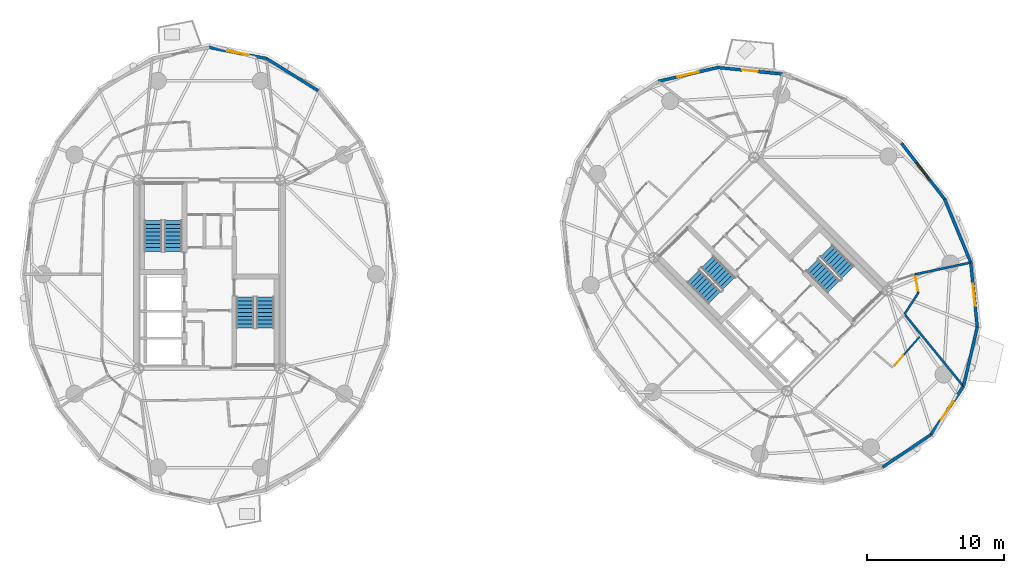
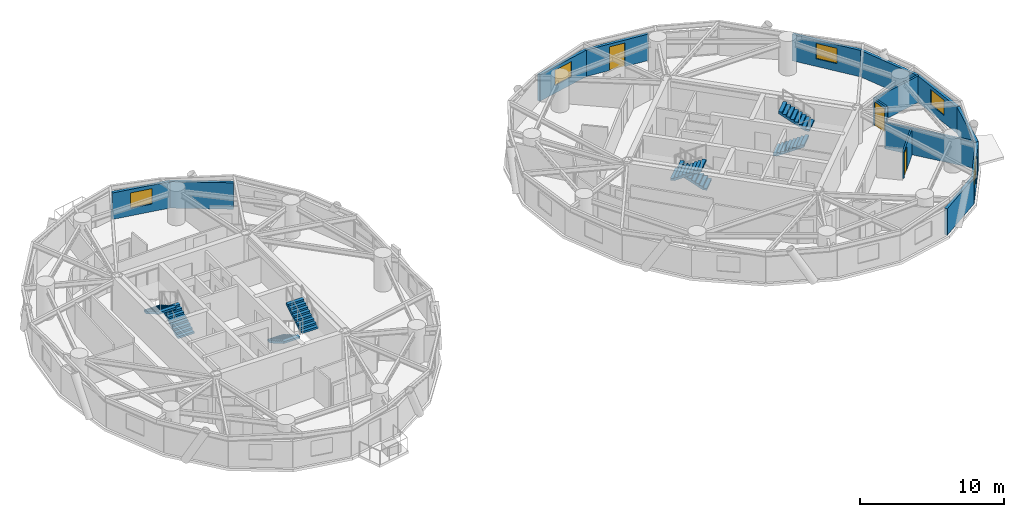
# One storey, part 13 of 16: 15 walls, 8 stair flights, 5 windows, 3 doors, 8 openings, 4 elements without a shape of their own.
"""IFC4 building model written with IfcOpenShell, lengths in metres."""

from ifc_helpers import new_model, si_unit, direction, frame, frame_2d, origin, place, context, subcontext, project, spatial, polyline, rectangle, outline, extrude, source, transform, mapped, material, layer, layer_set, type_object, element, fill, aggregate, save


model = new_model("IFC4")

# Units and contexts
model_context = context("Model", 3, precision=1e-05, world=origin(), true_north=direction((0.0, 1.0)))
body_context = subcontext(model_context, "Body", "Model", "MODEL_VIEW")
ifc_project = project(units=[si_unit("LENGTHUNIT", "METRE"), si_unit("AREAUNIT", "SQUARE_METRE"), si_unit("VOLUMEUNIT", "CUBIC_METRE"), si_unit("PLANEANGLEUNIT", "RADIAN"), si_unit("MASSUNIT", "GRAM", prefix="KILO")], contexts=[model_context])

# Site, building, storey
site_placement = place(None, origin())
site = spatial("IfcSite", under=ifc_project, at=site_placement, CompositionType="ELEMENT")
building_placement = place(site_placement, origin())
building = spatial("IfcBuilding", under=site, at=building_placement, Name="Cununo Teusaquillo Station Towers", CompositionType="ELEMENT")
storey_placement = place(building_placement, frame((0.0, 0.0, 180.699951171875)))
storey = spatial("IfcBuildingStorey", under=building, at=storey_placement, Name="L57", CompositionType="ELEMENT", Elevation=180.699951171875)

# Wall
ifc_material_1 = material(Name="Precast concrete C40/50", Category="concrete")
ifc_layer_1 = layer(ifc_material_1, 0.219970703125)
ifc_layer_set_1 = layer_set([ifc_layer_1], Name="Precast concrete C40/50")
wall_type_1 = type_object("IfcWallType", Name="WL-EXT-220", PredefinedType="SOLIDWALL", material=ifc_layer_set_1)
wall_1_placement = place(storey_placement, frame((20.681396484375, 40.259033203125, 0.0), z_axis=(0.0, 0.0, 1.0), x_axis=(0.848399108042, -0.529357113368, 0.0)))
element("IfcWall", 1, at=wall_1_placement, inside=storey, type_object=wall_type_1, Name="L57 Tower A Exterior Facade Wall C03", PredefinedType="SOLIDWALL", context=body_context, shape_type="SweptSolid", body=[
    extrude(rectangle(XDim=4.446044921875, YDim=0.219970703125, at=frame_2d((2.22314453125, 0.0))), origin(), (0.0, 0.0, 1.0), 2.2451171875),
])

# Wall, opening, window
wall_2_placement = place(storey_placement, frame((16.5, 41.070068359375, 0.0), z_axis=(0.0, 0.0, 1.0), x_axis=(0.981703883443, -0.190413983815, 0.0)))
wall_2 = element("IfcWall", 2, at=wall_2_placement, inside=storey, type_object=wall_type_1, Name="L57 Tower A Exterior Facade Wall C04", PredefinedType="SOLIDWALL", context=body_context, shape_type="SweptSolid", body=[
    extrude(rectangle(XDim=4.25927734375, YDim=0.219970703125, at=frame_2d((2.129638671875, 0.0))), origin(), (0.0, 0.0, 1.0), 2.2451171875),
])
shared_shape_1 = source(origin(), body_context, "Body", "SweptSolid", [
    extrude(rectangle(XDim=1.60009765625, YDim=1.300048828125, at=frame_2d((0.800048828125, 0.64990234375))), frame((0.0, 0.119873046875, 0.0), z_axis=(0.0, -1.0, 0.0), x_axis=(1.0, 0.0, 0.0)), (0.0, 0.0, 1.0), 0.239990234375),
])
opening_1_placement = place(wall_2_placement, frame((1.330078125, 0.0, 0.64990234375)))
opening_1 = element("IfcOpeningElement", 3, at=opening_1_placement, cuts=wall_2, Name="Opening WN-03", PredefinedType="OPENING", context=body_context, shape_type="MappedRepresentation", body=[
    mapped(shared_shape_1, transform((0.0, 0.0, 0.0), x_axis=(1.0, 0.0, 0.0), y_axis=(0.0, 1.0, 0.0), z_axis=(0.0, 0.0, 1.0), scale=1.0)),
])
ifc_material_2 = material(Name="Ceramic-fritted dark low-E double glazing", Category="glass")
window_type = type_object("IfcWindowType", Name="WIN-CORN-1600", PartitioningType="SINGLE_PANEL", PredefinedType="WINDOW", material=ifc_material_2)
shared_shape_2 = source(origin(), body_context, "Body", "SweptSolid", [
    extrude(rectangle(XDim=1.60009765625, YDim=1.300048828125, at=frame_2d((0.800048828125, 0.64990234375))), frame((0.0, 0.030029296875, 0.0), z_axis=(0.0, -1.0, 0.0), x_axis=(1.0, 0.0, 0.0)), (0.0, 0.0, 1.0), 0.06005859375),
])
window_1_placement = place(opening_1_placement, origin())
window_1 = element("IfcWindow", 4, at=window_1_placement, inside=storey, type_object=window_type, Name="L57 Tower A Facade Window C04", OverallHeight=1.300048828125, OverallWidth=1.60009765625, PartitioningType="SINGLE_PANEL", PredefinedType="WINDOW", context=body_context, shape_type="MappedRepresentation", body=[
    mapped(shared_shape_2, transform((0.0, 0.0, 0.0), x_axis=(1.0, 0.0, 0.0), y_axis=(0.0, 1.0, 0.0), z_axis=(0.0, 0.0, 1.0), scale=1.0)),
])
fill(opening_1, window_1)

# Wall, opening, door
wall_3_placement = place(storey_placement, frame((53.644775390625, 39.602783203125, 0.0), z_axis=(0.0, 0.0, 1.0), x_axis=(0.994943283129, -0.100438356004, 0.0)))
wall_3 = element("IfcWall", 5, at=wall_3_placement, inside=storey, type_object=wall_type_1, Name="L57 Tower B Exterior Facade Wall C02", PredefinedType="SOLIDWALL", context=body_context, shape_type="SweptSolid", body=[
    extrude(rectangle(XDim=4.732666015625, YDim=0.219970703125, at=frame_2d((2.3662109375, 0.0))), origin(), (0.0, 0.0, 1.0), 2.2451171875),
])
shared_shape_3 = source(origin(), body_context, "Body", "SweptSolid", [
    extrude(rectangle(XDim=1.14990234375, YDim=2.0048828125, at=frame_2d((0.574951171875, 1.00244140625))), frame((0.0, 0.119873046875, 0.0), z_axis=(0.0, -1.0, 0.0), x_axis=(1.0, 0.0, 0.0)), (0.0, 0.0, 1.0), 0.239990234375),
])
opening_2_placement = place(wall_3_placement, frame((1.791015625, 0.0, 0.0)))
opening_2 = element("IfcOpeningElement", 6, at=opening_2_placement, cuts=wall_3, Name="Opening ED-03", PredefinedType="OPENING", context=body_context, shape_type="MappedRepresentation", body=[
    mapped(shared_shape_3, transform((0.0, 0.0, 0.0), x_axis=(1.0, 0.0, 0.0), y_axis=(0.0, 1.0, 0.0), z_axis=(0.0, 0.0, 1.0), scale=1.0)),
])
ifc_material_3 = material(Name="Anodised dark bronze aluminium EN AW-6063-T6", Category="aluminium")
door_type_1 = type_object("IfcDoorType", Name="DR-EXT-BAL", OperationType="NOTDEFINED", PredefinedType="DOOR", material=ifc_material_3)
shared_shape_4 = source(origin(), body_context, "Body", "SweptSolid", [
    extrude(rectangle(XDim=1.14990234375, YDim=2.0048828125, at=frame_2d((0.574951171875, 1.00244140625))), frame((0.0, 0.02490234375, 0.0), z_axis=(0.0, -1.0, 0.0), x_axis=(1.0, 0.0, 0.0)), (0.0, 0.0, 1.0), 0.050048828125),
])
door_1_placement = place(opening_2_placement, origin())
door_1 = element("IfcDoor", 7, at=door_1_placement, inside=storey, type_object=door_type_1, Name="L57 Tower B Tree Balcony Door C02", OperationType="SINGLE_SWING_LEFT", OverallHeight=2.0048828125, OverallWidth=1.14990234375, PredefinedType="DOOR", context=body_context, shape_type="MappedRepresentation", body=[
    mapped(shared_shape_4, transform((0.0, 0.0, 0.0), x_axis=(1.0, 0.0, 0.0), y_axis=(0.0, 1.0, 0.0), z_axis=(0.0, 0.0, 1.0), scale=1.0)),
])
fill(opening_2, door_1)

# Wall, opening, window
wall_4_placement = place(storey_placement, frame((49.313232421875, 38.599853515625, 0.0), z_axis=(0.0, 0.0, 1.0), x_axis=(0.97422620202, 0.22557328587, 0.0)))
wall_4 = element("IfcWall", 8, at=wall_4_placement, inside=storey, type_object=wall_type_1, Name="L57 Tower B Exterior Facade Wall C03", PredefinedType="SOLIDWALL", context=body_context, shape_type="SweptSolid", body=[
    extrude(rectangle(XDim=4.446044921875, YDim=0.219970703125, at=frame_2d((2.22314453125, 0.0))), origin(), (0.0, 0.0, 1.0), 2.2451171875),
])
opening_3_placement = place(wall_4_placement, frame((1.423095703125, 0.0, 0.64990234375)))
opening_3 = element("IfcOpeningElement", 9, at=opening_3_placement, cuts=wall_4, Name="Opening WN-03", PredefinedType="OPENING", context=body_context, shape_type="MappedRepresentation", body=[
    mapped(shared_shape_1, transform((0.0, 0.0, 0.0), x_axis=(1.0, 0.0, 0.0), y_axis=(0.0, 1.0, 0.0), z_axis=(0.0, 0.0, 1.0), scale=1.0)),
])
window_2_placement = place(opening_3_placement, origin())
window_2 = element("IfcWindow", 10, at=window_2_placement, inside=storey, type_object=window_type, Name="L57 Tower B Facade Window C03", OverallHeight=1.300048828125, OverallWidth=1.60009765625, PartitioningType="SINGLE_PANEL", PredefinedType="WINDOW", context=body_context, shape_type="MappedRepresentation", body=[
    mapped(shared_shape_2, transform((0.0, 0.0, 0.0), x_axis=(1.0, 0.0, 0.0), y_axis=(0.0, 1.0, 0.0), z_axis=(0.0, 0.0, 1.0), scale=1.0)),
])
fill(opening_3, window_2)

# Wall
wall_5_placement = place(storey_placement, frame((69.216796875, 12.783203125, 0.0), z_axis=(0.0, 0.0, 1.0), x_axis=(-0.828817439852, -0.55951912514, 0.0)))
element("IfcWall", 11, at=wall_5_placement, inside=storey, type_object=wall_type_1, Name="L57 Tower B Exterior Facade Wall C14", PredefinedType="SOLIDWALL", context=body_context, shape_type="SweptSolid", body=[
    extrude(rectangle(XDim=4.259033203125, YDim=0.219970703125, at=frame_2d((2.12939453125, 0.0))), origin(), (0.0, 0.0, 1.0), 2.2451171875),
])

# Wall, opening, window
wall_6_placement = place(storey_placement, frame((71.599853515625, 16.313232421875, 0.0), z_axis=(0.0, 0.0, 1.0), x_axis=(-0.55951912514, -0.828817439852, 0.0)))
wall_6 = element("IfcWall", 12, at=wall_6_placement, inside=storey, type_object=wall_type_1, Name="L57 Tower B Exterior Facade Wall C15", PredefinedType="SOLIDWALL", context=body_context, shape_type="SweptSolid", body=[
    extrude(rectangle(XDim=4.259033203125, YDim=0.219970703125, at=frame_2d((2.12939453125, 0.0))), origin(), (0.0, 0.0, 1.0), 2.2451171875),
])
opening_4_placement = place(wall_6_placement, frame((1.330078125, 0.0, 0.64990234375)))
opening_4 = element("IfcOpeningElement", 13, at=opening_4_placement, cuts=wall_6, Name="Opening WN-03", PredefinedType="OPENING", context=body_context, shape_type="MappedRepresentation", body=[
    mapped(shared_shape_1, transform((0.0, 0.0, 0.0), x_axis=(1.0, 0.0, 0.0), y_axis=(0.0, 1.0, 0.0), z_axis=(0.0, 0.0, 1.0), scale=1.0)),
])
window_3_placement = place(opening_4_placement, origin())
window_3 = element("IfcWindow", 14, at=window_3_placement, inside=storey, type_object=window_type, Name="L57 Tower B Facade Window C15", OverallHeight=1.300048828125, OverallWidth=1.60009765625, PartitioningType="SINGLE_PANEL", PredefinedType="WINDOW", context=body_context, shape_type="MappedRepresentation", body=[
    mapped(shared_shape_2, transform((0.0, 0.0, 0.0), x_axis=(1.0, 0.0, 0.0), y_axis=(0.0, 1.0, 0.0), z_axis=(0.0, 0.0, 1.0), scale=1.0)),
])
fill(opening_4, window_3)

# Wall
wall_7_placement = place(storey_placement, frame((72.602783203125, 20.644775390625, 0.0), z_axis=(0.0, 0.0, 1.0), x_axis=(-0.22557328587, -0.97422620202, 0.0)))
element("IfcWall", 15, at=wall_7_placement, inside=storey, type_object=wall_type_1, Name="L57 Tower B Exterior Facade Wall C16", PredefinedType="SOLIDWALL", context=body_context, shape_type="SweptSolid", body=[
    extrude(rectangle(XDim=4.446044921875, YDim=0.219970703125, at=frame_2d((2.22314453125, 0.0))), origin(), (0.0, 0.0, 1.0), 2.2451171875),
])

# Wall, opening, window
wall_8_placement = place(storey_placement, frame((72.12744140625, 25.353515625, 0.0), z_axis=(0.0, 0.0, 1.0), x_axis=(0.100438356004, -0.994943283129, 0.0)))
wall_8 = element("IfcWall", 16, at=wall_8_placement, inside=storey, type_object=wall_type_1, Name="L57 Tower B Exterior Facade Wall C17", PredefinedType="SOLIDWALL", context=body_context, shape_type="SweptSolid", body=[
    extrude(rectangle(XDim=4.732666015625, YDim=0.219970703125, at=frame_2d((2.3662109375, 0.0))), origin(), (0.0, 0.0, 1.0), 2.2451171875),
])
opening_5_placement = place(wall_8_placement, frame((1.56591796875, 0.0, 0.64990234375)))
opening_5 = element("IfcOpeningElement", 17, at=opening_5_placement, cuts=wall_8, Name="Opening WN-03", PredefinedType="OPENING", context=body_context, shape_type="MappedRepresentation", body=[
    mapped(shared_shape_1, transform((0.0, 0.0, 0.0), x_axis=(1.0, 0.0, 0.0), y_axis=(0.0, 1.0, 0.0), z_axis=(0.0, 0.0, 1.0), scale=1.0)),
])
window_4_placement = place(opening_5_placement, origin())
window_4 = element("IfcWindow", 18, at=window_4_placement, inside=storey, type_object=window_type, Name="L57 Tower B Facade Window C17", OverallHeight=1.300048828125, OverallWidth=1.60009765625, PartitioningType="SINGLE_PANEL", PredefinedType="WINDOW", context=body_context, shape_type="MappedRepresentation", body=[
    mapped(shared_shape_2, transform((0.0, 0.0, 0.0), x_axis=(1.0, 0.0, 0.0), y_axis=(0.0, 1.0, 0.0), z_axis=(0.0, 0.0, 1.0), scale=1.0)),
])
fill(opening_5, window_4)

# Wall
wall_9_placement = place(storey_placement, frame((70.22021484375, 29.97900390625, 0.0), z_axis=(0.0, 0.0, 1.0), x_axis=(0.381196434348, -0.924494066201, 0.0)))
element("IfcWall", 19, at=wall_9_placement, inside=storey, type_object=wall_type_1, Name="L57 Tower B Exterior Facade Wall C18", PredefinedType="SOLIDWALL", context=body_context, shape_type="SweptSolid", body=[
    extrude(rectangle(XDim=5.003173828125, YDim=0.219970703125, at=frame_2d((2.50146484375, 0.0))), origin(), (0.0, 0.0, 1.0), 2.2451171875),
])

# Wall, opening, window
wall_10_placement = place(storey_placement, frame((67.06787109375, 34.06787109375, 0.0), z_axis=(0.0, 0.0, 1.0), x_axis=(0.610569654715, -0.791962560189, 0.0)))
wall_10 = element("IfcWall", 20, at=wall_10_placement, inside=storey, type_object=wall_type_1, Name="L57 Tower B Exterior Facade Wall C19", PredefinedType="SOLIDWALL", context=body_context, shape_type="SweptSolid", body=[
    extrude(rectangle(XDim=5.162841796875, YDim=0.219970703125, at=frame_2d((2.58154296875, 0.0))), origin(), (0.0, 0.0, 1.0), 2.2451171875),
])
opening_6_placement = place(wall_10_placement, frame((1.781982421875, 0.0, 0.64990234375)))
opening_6 = element("IfcOpeningElement", 21, at=opening_6_placement, cuts=wall_10, Name="Opening WN-03", PredefinedType="OPENING", context=body_context, shape_type="MappedRepresentation", body=[
    mapped(shared_shape_1, transform((0.0, 0.0, 0.0), x_axis=(1.0, 0.0, 0.0), y_axis=(0.0, 1.0, 0.0), z_axis=(0.0, 0.0, 1.0), scale=1.0)),
])
window_5_placement = place(opening_6_placement, origin())
window_5 = element("IfcWindow", 22, at=window_5_placement, inside=storey, type_object=window_type, Name="L57 Tower B Facade Window C19", OverallHeight=1.300048828125, OverallWidth=1.60009765625, PartitioningType="SINGLE_PANEL", PredefinedType="WINDOW", context=body_context, shape_type="MappedRepresentation", body=[
    mapped(shared_shape_2, transform((0.0, 0.0, 0.0), x_axis=(1.0, 0.0, 0.0), y_axis=(0.0, 1.0, 0.0), z_axis=(0.0, 0.0, 1.0), scale=1.0)),
])
fill(opening_6, window_5)

# Wall, opening, door
ifc_material_4 = material(Name="Fire-rated gypsum plasterboard partition assembly", Category="gypsum")
ifc_layer_2 = layer(ifc_material_4, 0.125)
ifc_layer_set_2 = layer_set([ifc_layer_2], Name="Fire-rated gypsum plasterboard partition assembly")
wall_type_2 = type_object("IfcWallType", Name="WL-PART-125", PredefinedType="PARTITIONING", material=ifc_layer_set_2)
wall_11_placement = place(storey_placement, frame((66.520263671875, 17.794677734375, 0.0), z_axis=(0.0, 0.0, 1.0), x_axis=(0.658266024679, 0.752785388244, 0.0)))
wall_11 = element("IfcWall", 23, at=wall_11_placement, inside=storey, type_object=wall_type_2, Name="L57 Tower B S06 En-suite Back Wall", PredefinedType="PARTITIONING", context=body_context, shape_type="SweptSolid", body=[
    extrude(rectangle(XDim=2.82568359375, YDim=0.125, at=frame_2d((1.412841796875, 0.0))), origin(), (0.0, 0.0, 1.0), 2.2451171875),
])
shared_shape_5 = source(origin(), body_context, "Body", "SweptSolid", [
    extrude(rectangle(XDim=0.89990234375, YDim=2.0048828125, at=frame_2d((0.449951171875, 1.00244140625))), frame((0.0, 0.072509765625, 0.0), z_axis=(0.0, -1.0, 0.0), x_axis=(1.0, 0.0, 0.0)), (0.0, 0.0, 1.0), 0.14501953125),
])
opening_7_placement = place(wall_11_placement, frame((0.1201171875, 0.0, 0.0)))
opening_7 = element("IfcOpeningElement", 24, at=opening_7_placement, cuts=wall_11, Name="Opening D-IN1", PredefinedType="OPENING", context=body_context, shape_type="MappedRepresentation", body=[
    mapped(shared_shape_5, transform((0.0, 0.0, 0.0), x_axis=(1.0, 0.0, 0.0), y_axis=(0.0, 1.0, 0.0), z_axis=(0.0, 0.0, 1.0), scale=1.0)),
])
ifc_material_5 = material(Name="Acoustic solid-core hardwood leaf assembly", Category="wood")
door_type_2 = type_object("IfcDoorType", Name="DR-INT-900", OperationType="NOTDEFINED", PredefinedType="DOOR", material=ifc_material_5)
shared_shape_6 = source(origin(), body_context, "Body", "SweptSolid", [
    extrude(rectangle(XDim=0.89990234375, YDim=2.0048828125, at=frame_2d((0.449951171875, 1.00244140625))), frame((0.0, 0.02490234375, 0.0), z_axis=(0.0, -1.0, 0.0), x_axis=(1.0, 0.0, 0.0)), (0.0, 0.0, 1.0), 0.050048828125),
])
door_2_placement = place(opening_7_placement, origin())
door_2 = element("IfcDoor", 25, at=door_2_placement, inside=storey, type_object=door_type_2, Name="L57 Tower B S06 En-suite Bathroom Door", OperationType="SINGLE_SWING_RIGHT", OverallHeight=2.0048828125, OverallWidth=0.89990234375, PredefinedType="DOOR", context=body_context, shape_type="MappedRepresentation", body=[
    mapped(shared_shape_6, transform((0.0, 0.0, 0.0), x_axis=(1.0, 0.0, 0.0), y_axis=(0.0, 1.0, 0.0), z_axis=(0.0, 0.0, 1.0), scale=1.0)),
])
fill(opening_7, door_2)

# Wall
ifc_material_6 = material(Name="Fire-rated gypsum plasterboard partition assembly", Category="gypsum")
ifc_layer_3 = layer(ifc_material_6, 0.14990234375)
ifc_layer_set_3 = layer_set([ifc_layer_3], Name="Fire-rated gypsum plasterboard partition assembly")
wall_type_3 = type_object("IfcWallType", Name="WL-PART-150", PredefinedType="PARTITIONING", material=ifc_layer_set_3)
wall_12_placement = place(storey_placement, frame((67.28662109375, 21.582275390625, 0.0), z_axis=(0.0, 0.0, 1.0), x_axis=(0.543202443884, 0.839601753785, 0.0)))
element("IfcWall", 26, at=wall_12_placement, inside=storey, type_object=wall_type_3, Name="L57 Tower B Corridor Ring Wall C16", PredefinedType="PARTITIONING", context=body_context, shape_type="SweptSolid", body=[
    extrude(rectangle(XDim=1.86572265625, YDim=0.14990234375, at=frame_2d((0.932861328125, 0.0))), origin(), (0.0, 0.0, 1.0), 2.2451171875),
])

# Wall, opening, door
wall_13_placement = place(storey_placement, frame((68.300048828125, 23.148681640625, 0.0), z_axis=(0.0, 0.0, 1.0), x_axis=(-0.176423554694, 0.984314344785, 0.0)))
wall_13 = element("IfcWall", 27, at=wall_13_placement, inside=storey, type_object=wall_type_3, Name="L57 Tower B Corridor Ring Wall C17", PredefinedType="PARTITIONING", context=body_context, shape_type="SweptSolid", body=[
    extrude(rectangle(XDim=1.361572265625, YDim=0.14990234375, at=frame_2d((0.6806640625, 0.0))), origin(), (0.0, 0.0, 1.0), 2.2451171875),
])
shared_shape_7 = source(origin(), body_context, "Body", "SweptSolid", [
    extrude(rectangle(XDim=1.050048828125, YDim=2.014892578125, at=frame_2d((0.52490234375, 1.00732421875))), frame((0.0, 0.0849609375, 0.0), z_axis=(0.0, -1.0, 0.0), x_axis=(1.0, 0.0, 0.0)), (0.0, 0.0, 1.0), 0.169921875),
])
opening_8_placement = place(wall_13_placement, frame((0.156005859375, 0.0, 0.0)))
opening_8 = element("IfcOpeningElement", 28, at=opening_8_placement, cuts=wall_13, Name="Opening D-SU1", PredefinedType="OPENING", context=body_context, shape_type="MappedRepresentation", body=[
    mapped(shared_shape_7, transform((0.0, 0.0, 0.0), x_axis=(1.0, 0.0, 0.0), y_axis=(0.0, 1.0, 0.0), z_axis=(0.0, 0.0, 1.0), scale=1.0)),
])
ifc_material_7 = material(Name="Acoustic solid-core hardwood leaf assembly", Category="wood")
door_type_3 = type_object("IfcDoorType", Name="DR-SUITE-1050", OperationType="NOTDEFINED", PredefinedType="DOOR", material=ifc_material_7)
shared_shape_8 = source(origin(), body_context, "Body", "SweptSolid", [
    extrude(rectangle(XDim=1.050048828125, YDim=2.014892578125, at=frame_2d((0.52490234375, 1.00732421875))), frame((0.0, 0.02490234375, 0.0), z_axis=(0.0, -1.0, 0.0), x_axis=(1.0, 0.0, 0.0)), (0.0, 0.0, 1.0), 0.050048828125),
])
door_3_placement = place(opening_8_placement, origin())
door_3 = element("IfcDoor", 29, at=door_3_placement, inside=storey, type_object=door_type_3, Name="L57 Tower B Hotel Housekeeping & Linen Pantry Entrance Door", OperationType="SINGLE_SWING_LEFT", OverallHeight=2.014892578125, OverallWidth=1.050048828125, PredefinedType="DOOR", context=body_context, shape_type="MappedRepresentation", body=[
    mapped(shared_shape_8, transform((0.0, 0.0, 0.0), x_axis=(1.0, 0.0, 0.0), y_axis=(0.0, 1.0, 0.0), z_axis=(0.0, 0.0, 1.0), scale=1.0)),
])
fill(opening_8, door_3)

# Walls
ifc_material_8 = material(Name="Fire-rated gypsum plasterboard partition assembly", Category="gypsum")
ifc_layer_4 = layer(ifc_material_8, 0.159912109375)
ifc_layer_set_4 = layer_set([ifc_layer_4], Name="Fire-rated gypsum plasterboard partition assembly")
wall_type_4 = type_object("IfcWallType", Name="WL-PART-160", PredefinedType="PARTITIONING", material=ifc_layer_set_4)
wall_14_placement = place(storey_placement, frame((67.28662109375, 21.582275390625, 0.0), z_axis=(0.0, 0.0, 1.0), x_axis=(0.632528819581, -0.774536824431, 0.0)))
element("IfcWall", 30, at=wall_14_placement, inside=storey, type_object=wall_type_4, Name="L57 Tower B Radial Suite Partition R07", PredefinedType="PARTITIONING", context=body_context, shape_type="SweptSolid", body=[
    extrude(rectangle(XDim=6.790771484375, YDim=0.159912109375, at=frame_2d((3.3955078125, 0.0))), origin(), (0.0, 0.0, 1.0), 2.2451171875),
])
wall_15_placement = place(storey_placement, frame((68.059814453125, 24.489013671875, 0.0), z_axis=(0.0, 0.0, 1.0), x_axis=(0.978089830324, 0.2081832938, 0.0)))
element("IfcWall", 31, at=wall_15_placement, inside=storey, type_object=wall_type_4, Name="L57 Tower B Radial Suite Partition R08", PredefinedType="PARTITIONING", context=body_context, shape_type="SweptSolid", body=[
    extrude(rectangle(XDim=4.138427734375, YDim=0.159912109375, at=frame_2d((2.0693359375, 0.0))), origin(), (0.0, 0.0, 1.0), 2.2451171875),
])

# Stair, stair flights
ifc_material_9 = material(Name="Concrete C50/60", Category="concrete")
stair_type = type_object("IfcStairType", Name="ST-TWR-1300", PredefinedType="HALF_TURN_STAIR", material=ifc_material_9)
stair_1_placement = place(storey_placement, origin())
stair_1 = element("IfcStair", 32, at=stair_1_placement, inside=storey, type_object=stair_type, Name="L57 Tower A Protected Core Exit Stair 1", PredefinedType="HALF_TURN_STAIR")
ifc_material_10 = material(Name="Concrete C50/60", Category="concrete")
stair_flight_type = type_object("IfcStairFlightType", Name="SFL-TWR-1300", PredefinedType="STRAIGHT", material=ifc_material_10)
stair_flight_1_placement = place(storey_placement, frame((13.8701171875, 26.169921875, 0.0), z_axis=(0.0, 0.0, 1.0), x_axis=(0.0, 1.0, 0.0)))
stair_flight_1 = element("IfcStairFlight", 33, at=stair_flight_1_placement, type_object=stair_flight_type, Name="ST-T1-1 flight 1", NumberOfRisers=9, NumberOfTreads=8, PredefinedType="STRAIGHT", RiserHeight=0.161666667, TreadLength=0.28, context=body_context, shape_type="SweptSolid", body=[
    extrude(outline(polyline([(0.0, 0.0), (0.0, 0.16162109375), (0.280029296875, 0.16162109375), (0.280029296875, 0.3232421875), (0.56005859375, 0.3232421875), (0.56005859375, 0.485107421875), (0.840087890625, 0.485107421875), (0.840087890625, 0.646728515625), (1.1201171875, 0.646728515625), (1.1201171875, 0.808349609375), (1.39990234375, 0.808349609375), (1.39990234375, 0.969970703125), (1.679931640625, 0.969970703125), (1.679931640625, 1.131591796875), (1.9599609375, 1.131591796875), (1.9599609375, 1.293212890625), (2.239990234375, 1.293212890625), (2.239990234375, 1.455078125), (2.239990234375, 1.1201171875), (0.2998046875, 0.0), (0.0, 0.0)])), frame((0.0, 0.64990234375, 0.0), z_axis=(0.0, -1.0, 0.0), x_axis=(1.0, 0.0, 0.0)), (0.0, 0.0, 1.0), 1.300048828125),
])
stair_flight_2_placement = place(storey_placement, frame((12.409912109375, 28.409912109375, 1.455078125), z_axis=(0.0, 0.0, 1.0), x_axis=(0.0, -1.0, 0.0)))
stair_flight_2 = element("IfcStairFlight", 34, at=stair_flight_2_placement, type_object=stair_flight_type, Name="ST-T1-1 flight 2", NumberOfRisers=9, NumberOfTreads=8, PredefinedType="STRAIGHT", RiserHeight=0.161666667, TreadLength=0.28, context=body_context, shape_type="SweptSolid", body=[
    extrude(outline(polyline([(0.0, 0.0), (0.0, 0.16162109375), (0.280029296875, 0.16162109375), (0.280029296875, 0.3232421875), (0.56005859375, 0.3232421875), (0.56005859375, 0.485107421875), (0.840087890625, 0.485107421875), (0.840087890625, 0.646728515625), (1.1201171875, 0.646728515625), (1.1201171875, 0.808349609375), (1.39990234375, 0.808349609375), (1.39990234375, 0.969970703125), (1.679931640625, 0.969970703125), (1.679931640625, 1.131591796875), (1.9599609375, 1.131591796875), (1.9599609375, 1.293212890625), (2.239990234375, 1.293212890625), (2.239990234375, 1.455078125), (2.239990234375, 1.1201171875), (0.2998046875, 0.0), (0.0, 0.0)])), frame((0.0, 0.64990234375, 0.0), z_axis=(0.0, -1.0, 0.0), x_axis=(1.0, 0.0, 0.0)), (0.0, 0.0, 1.0), 1.300048828125),
])
aggregate(stair_1, [stair_flight_1, stair_flight_2])

stair_2_placement = place(storey_placement, origin())
stair_2 = element("IfcStair", 35, at=stair_2_placement, inside=storey, type_object=stair_type, Name="L57 Tower A Protected Core Exit Stair 2", PredefinedType="HALF_TURN_STAIR")
stair_flight_3_placement = place(storey_placement, frame((19.1298828125, 22.830078125, 0.0), z_axis=(0.0, 0.0, 1.0), x_axis=(0.0, -1.0, 0.0)))
stair_flight_3 = element("IfcStairFlight", 36, at=stair_flight_3_placement, type_object=stair_flight_type, Name="ST-T1-2 flight 1", NumberOfRisers=9, NumberOfTreads=8, PredefinedType="STRAIGHT", RiserHeight=0.161666667, TreadLength=0.28, context=body_context, shape_type="SweptSolid", body=[
    extrude(outline(polyline([(0.0, 0.0), (0.0, 0.16162109375), (0.280029296875, 0.16162109375), (0.280029296875, 0.3232421875), (0.56005859375, 0.3232421875), (0.56005859375, 0.485107421875), (0.840087890625, 0.485107421875), (0.840087890625, 0.646728515625), (1.1201171875, 0.646728515625), (1.1201171875, 0.808349609375), (1.39990234375, 0.808349609375), (1.39990234375, 0.969970703125), (1.679931640625, 0.969970703125), (1.679931640625, 1.131591796875), (1.9599609375, 1.131591796875), (1.9599609375, 1.293212890625), (2.239990234375, 1.293212890625), (2.239990234375, 1.455078125), (2.239990234375, 1.1201171875), (0.2998046875, 0.0), (0.0, 0.0)])), frame((0.0, 0.64990234375, 0.0), z_axis=(0.0, -1.0, 0.0), x_axis=(1.0, 0.0, 0.0)), (0.0, 0.0, 1.0), 1.300048828125),
])
stair_flight_4_placement = place(storey_placement, frame((20.590087890625, 20.590087890625, 1.455078125), z_axis=(0.0, 0.0, 1.0), x_axis=(0.0, 1.0, 0.0)))
stair_flight_4 = element("IfcStairFlight", 37, at=stair_flight_4_placement, type_object=stair_flight_type, Name="ST-T1-2 flight 2", NumberOfRisers=9, NumberOfTreads=8, PredefinedType="STRAIGHT", RiserHeight=0.161666667, TreadLength=0.28, context=body_context, shape_type="SweptSolid", body=[
    extrude(outline(polyline([(0.0, 0.0), (0.0, 0.16162109375), (0.280029296875, 0.16162109375), (0.280029296875, 0.3232421875), (0.56005859375, 0.3232421875), (0.56005859375, 0.485107421875), (0.840087890625, 0.485107421875), (0.840087890625, 0.646728515625), (1.1201171875, 0.646728515625), (1.1201171875, 0.808349609375), (1.39990234375, 0.808349609375), (1.39990234375, 0.969970703125), (1.679931640625, 0.969970703125), (1.679931640625, 1.131591796875), (1.9599609375, 1.131591796875), (1.9599609375, 1.293212890625), (2.239990234375, 1.293212890625), (2.239990234375, 1.455078125), (2.239990234375, 1.1201171875), (0.2998046875, 0.0), (0.0, 0.0)])), frame((0.0, 0.64990234375, 0.0), z_axis=(0.0, -1.0, 0.0), x_axis=(1.0, 0.0, 0.0)), (0.0, 0.0, 1.0), 1.300048828125),
])
aggregate(stair_2, [stair_flight_3, stair_flight_4])

stair_3_placement = place(storey_placement, origin())
stair_3 = element("IfcStair", 38, at=stair_3_placement, inside=storey, type_object=stair_type, Name="L57 Tower B Protected Core Exit Stair 1", PredefinedType="HALF_TURN_STAIR")
stair_flight_5_placement = place(storey_placement, frame((54.45947265625, 23.8212890625, 0.0), z_axis=(0.0, 0.0, 1.0), x_axis=(-0.707106781187, 0.707106781187, 0.0)))
stair_flight_5 = element("IfcStairFlight", 39, at=stair_flight_5_placement, type_object=stair_flight_type, Name="ST-T2-1 flight 1", NumberOfRisers=9, NumberOfTreads=8, PredefinedType="STRAIGHT", RiserHeight=0.161666667, TreadLength=0.28, context=body_context, shape_type="SweptSolid", body=[
    extrude(outline(polyline([(0.0, 0.0), (0.0, 0.16162109375), (0.280029296875, 0.16162109375), (0.280029296875, 0.3232421875), (0.56005859375, 0.3232421875), (0.56005859375, 0.485107421875), (0.840087890625, 0.485107421875), (0.840087890625, 0.646728515625), (1.1201171875, 0.646728515625), (1.1201171875, 0.808349609375), (1.39990234375, 0.808349609375), (1.39990234375, 0.969970703125), (1.679931640625, 0.969970703125), (1.679931640625, 1.131591796875), (1.9599609375, 1.131591796875), (1.9599609375, 1.293212890625), (2.239990234375, 1.293212890625), (2.239990234375, 1.455078125), (2.239990234375, 1.1201171875), (0.2998046875, 0.0), (0.0, 0.0)])), frame((0.0, 0.64990234375, 0.0), z_axis=(0.0, -1.0, 0.0), x_axis=(1.0, 0.0, 0.0)), (0.0, 0.0, 1.0), 1.300048828125),
])
stair_flight_6_placement = place(storey_placement, frame((51.84326171875, 24.372802734375, 1.455078125), z_axis=(0.0, 0.0, 1.0), x_axis=(0.707106781187, -0.707106781187, 0.0)))
stair_flight_6 = element("IfcStairFlight", 40, at=stair_flight_6_placement, type_object=stair_flight_type, Name="ST-T2-1 flight 2", NumberOfRisers=9, NumberOfTreads=8, PredefinedType="STRAIGHT", RiserHeight=0.161666667, TreadLength=0.28, context=body_context, shape_type="SweptSolid", body=[
    extrude(outline(polyline([(0.0, 0.0), (0.0, 0.16162109375), (0.280029296875, 0.16162109375), (0.280029296875, 0.3232421875), (0.56005859375, 0.3232421875), (0.56005859375, 0.485107421875), (0.840087890625, 0.485107421875), (0.840087890625, 0.646728515625), (1.1201171875, 0.646728515625), (1.1201171875, 0.808349609375), (1.39990234375, 0.808349609375), (1.39990234375, 0.969970703125), (1.679931640625, 0.969970703125), (1.679931640625, 1.131591796875), (1.9599609375, 1.131591796875), (1.9599609375, 1.293212890625), (2.239990234375, 1.293212890625), (2.239990234375, 1.455078125), (2.239990234375, 1.1201171875), (0.2998046875, 0.0), (0.0, 0.0)])), frame((0.0, 0.64990234375, 0.0), z_axis=(0.0, -1.0, 0.0), x_axis=(1.0, 0.0, 0.0)), (0.0, 0.0, 1.0), 1.300048828125),
])
aggregate(stair_3, [stair_flight_5, stair_flight_6])

stair_4_placement = place(storey_placement, origin())
stair_4 = element("IfcStair", 41, at=stair_4_placement, inside=storey, type_object=stair_type, Name="L57 Tower B Protected Core Exit Stair 2", PredefinedType="HALF_TURN_STAIR")
stair_flight_7_placement = place(storey_placement, frame((60.54052734375, 25.1787109375, 0.0), z_axis=(0.0, 0.0, 1.0), x_axis=(0.707106781187, -0.707106781187, 0.0)))
stair_flight_7 = element("IfcStairFlight", 42, at=stair_flight_7_placement, type_object=stair_flight_type, Name="ST-T2-2 flight 1", NumberOfRisers=9, NumberOfTreads=8, PredefinedType="STRAIGHT", RiserHeight=0.161666667, TreadLength=0.28, context=body_context, shape_type="SweptSolid", body=[
    extrude(outline(polyline([(0.0, 0.0), (0.0, 0.16162109375), (0.280029296875, 0.16162109375), (0.280029296875, 0.3232421875), (0.56005859375, 0.3232421875), (0.56005859375, 0.485107421875), (0.840087890625, 0.485107421875), (0.840087890625, 0.646728515625), (1.1201171875, 0.646728515625), (1.1201171875, 0.808349609375), (1.39990234375, 0.808349609375), (1.39990234375, 0.969970703125), (1.679931640625, 0.969970703125), (1.679931640625, 1.131591796875), (1.9599609375, 1.131591796875), (1.9599609375, 1.293212890625), (2.239990234375, 1.293212890625), (2.239990234375, 1.455078125), (2.239990234375, 1.1201171875), (0.2998046875, 0.0), (0.0, 0.0)])), frame((0.0, 0.64990234375, 0.0), z_axis=(0.0, -1.0, 0.0), x_axis=(1.0, 0.0, 0.0)), (0.0, 0.0, 1.0), 1.300048828125),
])
stair_flight_8_placement = place(storey_placement, frame((63.15673828125, 24.627197265625, 1.455078125), z_axis=(0.0, 0.0, 1.0), x_axis=(-0.707106781187, 0.707106781187, 0.0)))
stair_flight_8 = element("IfcStairFlight", 43, at=stair_flight_8_placement, type_object=stair_flight_type, Name="ST-T2-2 flight 2", NumberOfRisers=9, NumberOfTreads=8, PredefinedType="STRAIGHT", RiserHeight=0.161666667, TreadLength=0.28, context=body_context, shape_type="SweptSolid", body=[
    extrude(outline(polyline([(0.0, 0.0), (0.0, 0.16162109375), (0.280029296875, 0.16162109375), (0.280029296875, 0.3232421875), (0.56005859375, 0.3232421875), (0.56005859375, 0.485107421875), (0.840087890625, 0.485107421875), (0.840087890625, 0.646728515625), (1.1201171875, 0.646728515625), (1.1201171875, 0.808349609375), (1.39990234375, 0.808349609375), (1.39990234375, 0.969970703125), (1.679931640625, 0.969970703125), (1.679931640625, 1.131591796875), (1.9599609375, 1.131591796875), (1.9599609375, 1.293212890625), (2.239990234375, 1.293212890625), (2.239990234375, 1.455078125), (2.239990234375, 1.1201171875), (0.2998046875, 0.0), (0.0, 0.0)])), frame((0.0, 0.64990234375, 0.0), z_axis=(0.0, -1.0, 0.0), x_axis=(1.0, 0.0, 0.0)), (0.0, 0.0, 1.0), 1.300048828125),
])
aggregate(stair_4, [stair_flight_7, stair_flight_8])

save(model, "model.ifc")
